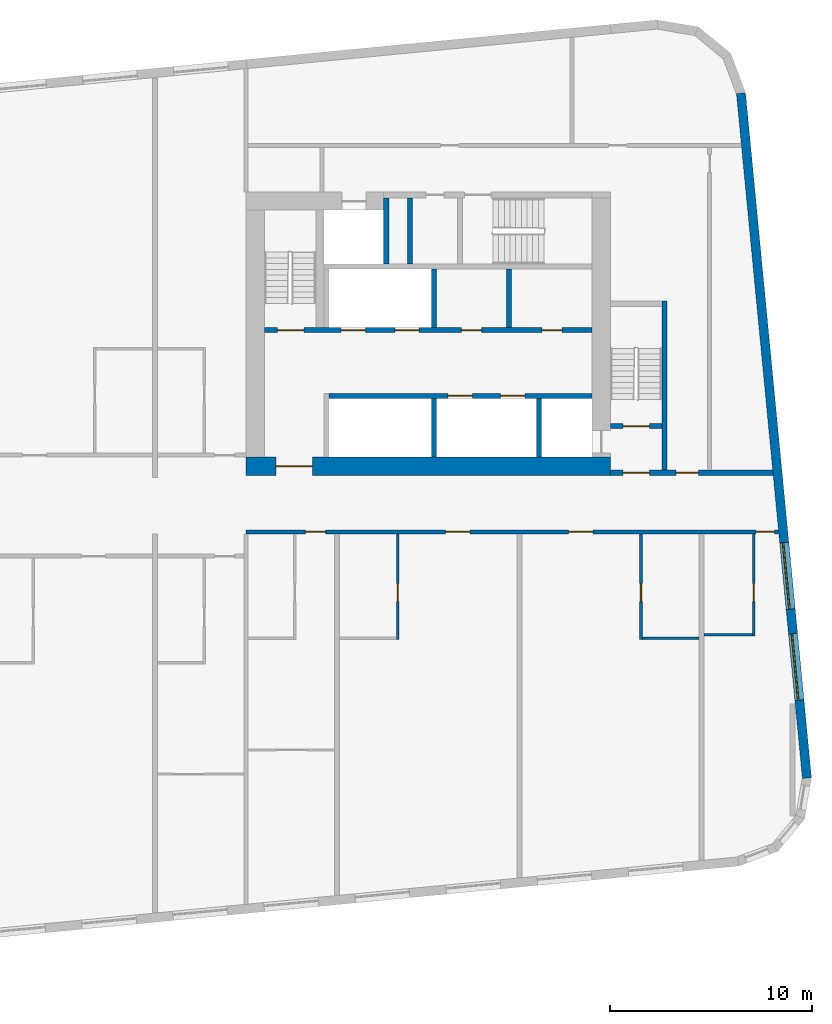
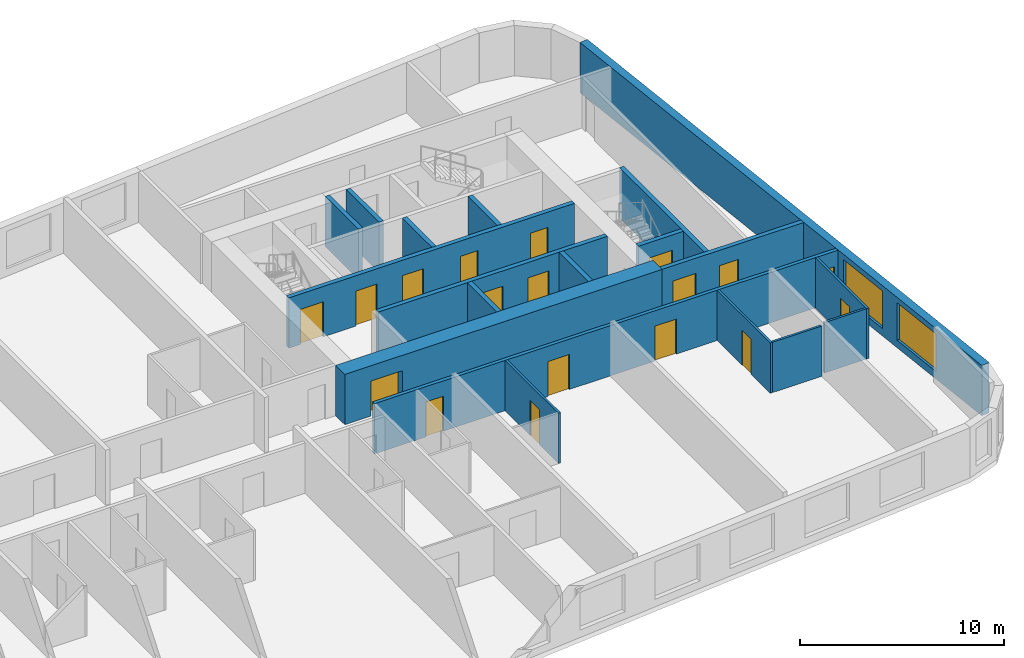
# One storey, part 7 of 12: 19 walls, 18 doors, 2 windows, 20 openings.
"""IFC4 building model written with IfcOpenShell, lengths in metres."""

from ifc_helpers import new_model, si_unit, direction, frame, frame_2d, origin, place, context, subcontext, project, spatial, rectangle, extrude, material, layer, layer_set, type_object, element, fill, save


model = new_model("IFC4")

# Units and contexts
model_context = context("Model", 3, precision=1e-05, world=origin(), true_north=direction((0.0, 1.0)))
body_context = subcontext(model_context, "Body", "Model", "MODEL_VIEW")
ifc_project = project(units=[si_unit("LENGTHUNIT", "METRE"), si_unit("AREAUNIT", "SQUARE_METRE"), si_unit("VOLUMEUNIT", "CUBIC_METRE"), si_unit("PLANEANGLEUNIT", "RADIAN"), si_unit("MASSUNIT", "GRAM", prefix="KILO")], contexts=[model_context])

# Site, building, storey
site_placement = place(None, origin())
site = spatial("IfcSite", under=ifc_project, at=site_placement, CompositionType="ELEMENT")
building_placement = place(site_placement, origin())
building = spatial("IfcBuilding", under=site, at=building_placement, Name="Kajstack Hotel Tower", CompositionType="ELEMENT")
storey_placement = place(building_placement, frame((0.0, 0.0, 180.10009765625)))
storey = spatial("IfcBuildingStorey", under=building, at=storey_placement, Name="L42", CompositionType="ELEMENT", Elevation=180.10009765625)

# Wall, opening, door
ifc_material_1 = material(Name="Concrete C60/75", Category="concrete")
ifc_layer_1 = layer(ifc_material_1, 0.89990234375)
ifc_layer_set_1 = layer_set([ifc_layer_1], Name="Core wall 900")
wall_type_1 = type_object("IfcWallType", Name="Core wall 900", PredefinedType="SHEAR", material=ifc_layer_set_1)
wall_1_placement = place(storey_placement, frame((13.5, 1.949951171875, 0.0), z_axis=(0.0, 0.0, 1.0), x_axis=(1.0, 0.0, 0.0)))
wall_1 = element("IfcWall", 1, at=wall_1_placement, inside=storey, type_object=wall_type_1, Name="Core wall E RN", PredefinedType="SHEAR", context=body_context, shape_type="SweptSolid", body=[
    extrude(rectangle(XDim=18.0, YDim=0.89990234375, at=frame_2d((9.0, 0.0))), origin(), (0.0, 0.0, 1.0), 3.02001953125),
])
opening_1_placement = place(wall_1_placement, frame((1.47509765625, 0.0, 0.0)))
opening_1 = element("IfcOpeningElement", 2, at=opening_1_placement, cuts=wall_1, Name="Opening 42E07", PredefinedType="OPENING", context=body_context, shape_type="SweptSolid", body=[
    extrude(rectangle(XDim=1.800048828125, YDim=2.10009765625, at=frame_2d((0.89990234375, 1.050048828125))), frame((0.0, 0.4599609375, 0.0), z_axis=(0.0, -1.0, 0.0), x_axis=(1.0, 0.0, 0.0)), (0.0, 0.0, 1.0), 0.919921875),
])
ifc_material_2 = material(Name="Glazed steel frame, fire-rated glass", Category="steel")
door_type_1 = type_object("IfcDoorType", Name="Lobby double door 1800", OperationType="DOUBLE_DOOR_DOUBLE_SWING", PredefinedType="DOOR", material=ifc_material_2)
door_1_placement = place(opening_1_placement, origin())
door_1 = element("IfcDoor", 3, at=door_1_placement, inside=storey, type_object=door_type_1, Name="Door 42E07", OperationType="DOUBLE_DOOR_DOUBLE_SWING", OverallHeight=2.10009765625, OverallWidth=1.800048828125, PredefinedType="DOOR", context=body_context, shape_type="SweptSolid", body=[
    extrude(rectangle(XDim=1.800048828125, YDim=2.10009765625, at=frame_2d((0.89990234375, 1.050048828125))), frame((0.0, 0.02490234375, 0.0), z_axis=(0.0, -1.0, 0.0), x_axis=(1.0, 0.0, 0.0)), (0.0, 0.0, 1.0), 0.050048828125),
])
fill(opening_1, door_1)

# Wall, openings, doors
ifc_material_3 = material(Name="Gypsum board on steel studs, mineral wool", Category="steel")
ifc_layer_2 = layer(ifc_material_3, 0.199951171875)
ifc_layer_set_2 = layer_set([ifc_layer_2], Name="Corridor wall 200")
wall_type_2 = type_object("IfcWallType", Name="Corridor wall 200", PredefinedType="PARTITIONING", material=ifc_layer_set_2)
wall_2_placement = place(storey_placement, frame((13.5, -1.300048828125, 0.0), z_axis=(0.0, 0.0, 1.0), x_axis=(1.0, 0.0, 0.0)))
wall_2 = element("IfcWall", 4, at=wall_2_placement, inside=storey, type_object=wall_type_2, Name="G-wall-L42-026", PredefinedType="PARTITIONING", context=body_context, shape_type="SweptSolid", body=[
    extrude(rectangle(XDim=26.31689453125, YDim=0.199951171875, at=frame_2d((13.158447265625, 0.0))), origin(), (0.0, 0.0, 1.0), 3.02001953125),
])
opening_2_placement = place(wall_2_placement, frame((2.925048828125, 0.0, 0.0)))
opening_2 = element("IfcOpeningElement", 5, at=opening_2_placement, cuts=wall_2, Name="Opening 42031", PredefinedType="OPENING", context=body_context, shape_type="SweptSolid", body=[
    extrude(rectangle(XDim=1.0, YDim=2.10009765625, at=frame_2d((0.5, 1.050048828125))), frame((0.0, 0.10986328125, 0.0), z_axis=(0.0, -1.0, 0.0), x_axis=(1.0, 0.0, 0.0)), (0.0, 0.0, 1.0), 0.219970703125),
])
opening_3_placement = place(wall_2_placement, frame((9.862060546875, 0.0, 0.0)))
opening_3 = element("IfcOpeningElement", 6, at=opening_3_placement, cuts=wall_2, Name="Opening 42034", PredefinedType="OPENING", context=body_context, shape_type="SweptSolid", body=[
    extrude(rectangle(XDim=1.199951171875, YDim=2.10009765625, at=frame_2d((0.60009765625, 1.050048828125))), frame((0.0, 0.10986328125, 0.0), z_axis=(0.0, -1.0, 0.0), x_axis=(1.0, 0.0, 0.0)), (0.0, 0.0, 1.0), 0.219970703125),
])
opening_4_placement = place(wall_2_placement, frame((15.93798828125, 0.0, 0.0)))
opening_4 = element("IfcOpeningElement", 7, at=opening_4_placement, cuts=wall_2, Name="Opening 42036", PredefinedType="OPENING", context=body_context, shape_type="SweptSolid", body=[
    extrude(rectangle(XDim=1.199951171875, YDim=2.10009765625, at=frame_2d((0.60009765625, 1.050048828125))), frame((0.0, 0.10986328125, 0.0), z_axis=(0.0, -1.0, 0.0), x_axis=(1.0, 0.0, 0.0)), (0.0, 0.0, 1.0), 0.219970703125),
])
opening_5_placement = place(wall_2_placement, frame((25.2080078125, 0.0, 0.0)))
opening_5 = element("IfcOpeningElement", 8, at=opening_5_placement, cuts=wall_2, Name="Opening 42038", PredefinedType="OPENING", context=body_context, shape_type="SweptSolid", body=[
    extrude(rectangle(XDim=0.89990234375, YDim=2.10009765625, at=frame_2d((0.449951171875, 1.050048828125))), frame((0.0, 0.10986328125, 0.0), z_axis=(0.0, -1.0, 0.0), x_axis=(1.0, 0.0, 0.0)), (0.0, 0.0, 1.0), 0.219970703125),
])
ifc_material_4 = material(Name="Oak veneer on timber core, fire-rated leaf", Category="wood")
door_type_2 = type_object("IfcDoorType", Name="Flat entrance door 1000", OperationType="SINGLE_SWING_LEFT", PredefinedType="DOOR", material=ifc_material_4)
door_2_placement = place(opening_2_placement, origin())
door_2 = element("IfcDoor", 9, at=door_2_placement, inside=storey, type_object=door_type_2, Name="G-door-L42-31", OperationType="SINGLE_SWING_LEFT", OverallHeight=2.10009765625, OverallWidth=1.0, PredefinedType="DOOR", context=body_context, shape_type="SweptSolid", body=[
    extrude(rectangle(XDim=1.0, YDim=2.10009765625, at=frame_2d((0.5, 1.050048828125))), frame((0.0, 0.02490234375, 0.0), z_axis=(0.0, -1.0, 0.0), x_axis=(1.0, 0.0, 0.0)), (0.0, 0.0, 1.0), 0.050048828125),
])
fill(opening_2, door_2)
door_type_3 = type_object("IfcDoorType", Name="Flat entrance door 1200", OperationType="SINGLE_SWING_LEFT", PredefinedType="DOOR", material=ifc_material_4)
door_3_placement = place(opening_3_placement, origin())
door_3 = element("IfcDoor", 10, at=door_3_placement, inside=storey, type_object=door_type_3, Name="G-door-L42-34", OperationType="SINGLE_SWING_LEFT", OverallHeight=2.10009765625, OverallWidth=1.199951171875, PredefinedType="DOOR", context=body_context, shape_type="SweptSolid", body=[
    extrude(rectangle(XDim=1.199951171875, YDim=2.10009765625, at=frame_2d((0.60009765625, 1.050048828125))), frame((0.0, 0.02490234375, 0.0), z_axis=(0.0, -1.0, 0.0), x_axis=(1.0, 0.0, 0.0)), (0.0, 0.0, 1.0), 0.050048828125),
])
fill(opening_3, door_3)
door_4_placement = place(opening_4_placement, origin())
door_4 = element("IfcDoor", 11, at=door_4_placement, inside=storey, type_object=door_type_3, Name="G-door-L42-36", OperationType="SINGLE_SWING_RIGHT", OverallHeight=2.10009765625, OverallWidth=1.199951171875, PredefinedType="DOOR", context=body_context, shape_type="SweptSolid", body=[
    extrude(rectangle(XDim=1.199951171875, YDim=2.10009765625, at=frame_2d((0.60009765625, 1.050048828125))), frame((0.0, 0.02490234375, 0.0), z_axis=(0.0, -1.0, 0.0), x_axis=(1.0, 0.0, 0.0)), (0.0, 0.0, 1.0), 0.050048828125),
])
fill(opening_4, door_4)
ifc_material_5 = material(Name="Painted timber door leaf", Category="wood")
door_type_4 = type_object("IfcDoorType", Name="Room door 900", OperationType="SINGLE_SWING_LEFT", PredefinedType="DOOR", material=ifc_material_5)
door_5_placement = place(opening_5_placement, origin())
door_5 = element("IfcDoor", 12, at=door_5_placement, inside=storey, type_object=door_type_4, Name="G-door-L42-38", OperationType="SINGLE_SWING_RIGHT", OverallHeight=2.10009765625, OverallWidth=0.89990234375, PredefinedType="DOOR", context=body_context, shape_type="SweptSolid", body=[
    extrude(rectangle(XDim=0.89990234375, YDim=2.10009765625, at=frame_2d((0.449951171875, 1.050048828125))), frame((0.0, 0.02490234375, 0.0), z_axis=(0.0, -1.0, 0.0), x_axis=(1.0, 0.0, 0.0)), (0.0, 0.0, 1.0), 0.050048828125),
])
fill(opening_5, door_5)

# Wall, openings, windows
ifc_material_6 = material(Name="Terracotta-faced brick masonry", Category="masonry")
ifc_layer_3 = layer(ifc_material_6, 0.449951171875)
ifc_layer_set_3 = layer_set([ifc_layer_3], Name="EW-TERRA")
wall_type_3 = type_object("IfcWallType", Name="EW-TERRA", PredefinedType="SOLIDWALL", material=ifc_layer_set_3)
wall_3_placement = place(storey_placement, frame((41.21435546875, -13.465576171875, 0.0), z_axis=(0.0, 0.0, 1.0), x_axis=(-0.095847314626, 0.995396047952, 0.0)))
wall_3 = element("IfcWall", 13, at=wall_3_placement, inside=storey, type_object=wall_type_3, Name="E-wall-L42-08-00", PredefinedType="SOLIDWALL", context=body_context, shape_type="SweptSolid", body=[
    extrude(rectangle(XDim=33.999755859375, YDim=0.449951171875, at=frame_2d((17.0, 0.0))), origin(), (0.0, 0.0, 1.0), 3.02001953125),
])
opening_6_placement = place(wall_3_placement, frame((3.869384765625, 0.0, 0.449951171875)))
opening_6 = element("IfcOpeningElement", 14, at=opening_6_placement, cuts=wall_3, Name="Opening W2", PredefinedType="OPENING", context=body_context, shape_type="SweptSolid", body=[
    extrude(rectangle(XDim=3.300048828125, YDim=2.25, at=frame_2d((1.64990234375, 1.125))), frame((0.0, 0.23486328125, 0.0), z_axis=(0.0, -1.0, 0.0), x_axis=(1.0, 0.0, 0.0)), (0.0, 0.0, 1.0), 0.469970703125),
])
opening_7_placement = place(wall_3_placement, frame((8.390380859375, 0.0, 0.449951171875)))
opening_7 = element("IfcOpeningElement", 15, at=opening_7_placement, cuts=wall_3, Name="Opening W2", PredefinedType="OPENING", context=body_context, shape_type="SweptSolid", body=[
    extrude(rectangle(XDim=3.300048828125, YDim=2.25, at=frame_2d((1.64990234375, 1.125))), frame((0.0, 0.23486328125, 0.0), z_axis=(0.0, -1.0, 0.0), x_axis=(1.0, 0.0, 0.0)), (0.0, 0.0, 1.0), 0.469970703125),
])
ifc_material_7 = material(Name="Timber-aluminium window, triple glazed", Category="wood")
window_type = type_object("IfcWindowType", Name="WG2", PartitioningType="SINGLE_PANEL", PredefinedType="WINDOW", material=ifc_material_7)
window_1_placement = place(opening_6_placement, origin())
window_1 = element("IfcWindow", 16, at=window_1_placement, inside=storey, type_object=window_type, Name="Window W2 L42-08", OverallHeight=2.25, OverallWidth=3.300048828125, PartitioningType="SINGLE_PANEL", PredefinedType="WINDOW", context=body_context, shape_type="SweptSolid", body=[
    extrude(rectangle(XDim=3.300048828125, YDim=2.25, at=frame_2d((1.64990234375, 1.125))), frame((0.0, 0.090087890625, 0.0), z_axis=(0.0, -1.0, 0.0), x_axis=(1.0, 0.0, 0.0)), (0.0, 0.0, 1.0), 0.06005859375),
])
fill(opening_6, window_1)
window_2_placement = place(opening_7_placement, origin())
window_2 = element("IfcWindow", 17, at=window_2_placement, inside=storey, type_object=window_type, Name="Window W2 L42-08", OverallHeight=2.25, OverallWidth=3.300048828125, PartitioningType="SINGLE_PANEL", PredefinedType="WINDOW", context=body_context, shape_type="SweptSolid", body=[
    extrude(rectangle(XDim=3.300048828125, YDim=2.25, at=frame_2d((1.64990234375, 1.125))), frame((0.0, 0.090087890625, 0.0), z_axis=(0.0, -1.0, 0.0), x_axis=(1.0, 0.0, 0.0)), (0.0, 0.0, 1.0), 0.06005859375),
])
fill(opening_7, window_2)

# Wall, opening, door
ifc_material_8 = material(Name="Gypsum board and tiled backer on steel studs", Category="steel")
ifc_layer_4 = layer(ifc_material_8, 0.125)
ifc_layer_set_4 = layer_set([ifc_layer_4], Name="En-suite wall 125")
wall_type_4 = type_object("IfcWallType", Name="En-suite wall 125", PredefinedType="PARTITIONING", material=ifc_layer_set_4)
wall_4_placement = place(storey_placement, frame((20.988037109375, -6.625, 0.0), z_axis=(0.0, 0.0, 1.0), x_axis=(0.0, 1.0, 0.0)))
wall_4 = element("IfcWall", 18, at=wall_4_placement, inside=storey, type_object=wall_type_4, Name="G-wall-L42-044", PredefinedType="PARTITIONING", context=body_context, shape_type="SweptSolid", body=[
    extrude(rectangle(XDim=5.22509765625, YDim=0.125, at=frame_2d((2.612548828125, 0.0))), origin(), (0.0, 0.0, 1.0), 3.02001953125),
])
opening_8_placement = place(wall_4_placement, frame((1.875, 0.0, 0.0)))
opening_8 = element("IfcOpeningElement", 19, at=opening_8_placement, cuts=wall_4, Name="Opening 42035", PredefinedType="OPENING", context=body_context, shape_type="SweptSolid", body=[
    extrude(rectangle(XDim=0.89990234375, YDim=2.10009765625, at=frame_2d((0.449951171875, 1.050048828125))), frame((0.0, 0.072509765625, 0.0), z_axis=(0.0, -1.0, 0.0), x_axis=(1.0, 0.0, 0.0)), (0.0, 0.0, 1.0), 0.14501953125),
])
door_6_placement = place(opening_8_placement, origin())
door_6 = element("IfcDoor", 20, at=door_6_placement, inside=storey, type_object=door_type_4, Name="G-door-L42-35", OperationType="SINGLE_SWING_RIGHT", OverallHeight=2.10009765625, OverallWidth=0.89990234375, PredefinedType="DOOR", context=body_context, shape_type="SweptSolid", body=[
    extrude(rectangle(XDim=0.89990234375, YDim=2.10009765625, at=frame_2d((0.449951171875, 1.050048828125))), frame((0.0, 0.02490234375, 0.0), z_axis=(0.0, -1.0, 0.0), x_axis=(1.0, 0.0, 0.0)), (0.0, 0.0, 1.0), 0.050048828125),
])
fill(opening_8, door_6)

wall_5_placement = place(storey_placement, frame((33.012939453125, -6.625, 0.0), z_axis=(0.0, 0.0, 1.0), x_axis=(0.0, 1.0, 0.0)))
wall_5 = element("IfcWall", 21, at=wall_5_placement, inside=storey, type_object=wall_type_4, Name="G-wall-L42-046", PredefinedType="PARTITIONING", context=body_context, shape_type="SweptSolid", body=[
    extrude(rectangle(XDim=5.22509765625, YDim=0.125, at=frame_2d((2.612548828125, 0.0))), origin(), (0.0, 0.0, 1.0), 3.02001953125),
])
opening_9_placement = place(wall_5_placement, frame((1.875, 0.0, 0.0)))
opening_9 = element("IfcOpeningElement", 22, at=opening_9_placement, cuts=wall_5, Name="Opening 42037", PredefinedType="OPENING", context=body_context, shape_type="SweptSolid", body=[
    extrude(rectangle(XDim=0.89990234375, YDim=2.10009765625, at=frame_2d((0.449951171875, 1.050048828125))), frame((0.0, 0.072509765625, 0.0), z_axis=(0.0, -1.0, 0.0), x_axis=(1.0, 0.0, 0.0)), (0.0, 0.0, 1.0), 0.14501953125),
])
door_7_placement = place(opening_9_placement, origin())
door_7 = element("IfcDoor", 23, at=door_7_placement, inside=storey, type_object=door_type_4, Name="G-door-L42-37", OperationType="SINGLE_SWING_LEFT", OverallHeight=2.10009765625, OverallWidth=0.89990234375, PredefinedType="DOOR", context=body_context, shape_type="SweptSolid", body=[
    extrude(rectangle(XDim=0.89990234375, YDim=2.10009765625, at=frame_2d((0.449951171875, 1.050048828125))), frame((0.0, 0.02490234375, 0.0), z_axis=(0.0, -1.0, 0.0), x_axis=(1.0, 0.0, 0.0)), (0.0, 0.0, 1.0), 0.050048828125),
])
fill(opening_9, door_7)

# Wall
wall_6_placement = place(storey_placement, frame((33.074951171875, -6.56201171875, 0.0), z_axis=(0.0, 0.0, 1.0), x_axis=(1.0, 0.0, 0.0)))
element("IfcWall", 24, at=wall_6_placement, inside=storey, type_object=wall_type_4, Name="G-wall-L42-047", PredefinedType="PARTITIONING", context=body_context, shape_type="SweptSolid", body=[
    extrude(rectangle(XDim=2.800048828125, YDim=0.125, at=frame_2d((1.39990234375, 0.0))), origin(), (0.0, 0.0, 1.0), 3.02001953125),
])

# Wall, opening, door
wall_7_placement = place(storey_placement, frame((38.5869140625, -6.445068359375, 0.0), z_axis=(0.0, 0.0, 1.0), x_axis=(0.0, 1.0, 0.0)))
wall_7 = element("IfcWall", 25, at=wall_7_placement, inside=storey, type_object=wall_type_4, Name="G-wall-L42-048", PredefinedType="PARTITIONING", context=body_context, shape_type="SweptSolid", body=[
    extrude(rectangle(XDim=5.045166015625, YDim=0.125, at=frame_2d((2.5224609375, 0.0))), origin(), (0.0, 0.0, 1.0), 3.02001953125),
])
opening_10_placement = place(wall_7_placement, frame((1.695068359375, 0.0, 0.0)))
opening_10 = element("IfcOpeningElement", 26, at=opening_10_placement, cuts=wall_7, Name="Opening 42039", PredefinedType="OPENING", context=body_context, shape_type="SweptSolid", body=[
    extrude(rectangle(XDim=0.89990234375, YDim=2.10009765625, at=frame_2d((0.449951171875, 1.050048828125))), frame((0.0, 0.072509765625, 0.0), z_axis=(0.0, -1.0, 0.0), x_axis=(1.0, 0.0, 0.0)), (0.0, 0.0, 1.0), 0.14501953125),
])
door_8_placement = place(opening_10_placement, origin())
door_8 = element("IfcDoor", 27, at=door_8_placement, inside=storey, type_object=door_type_4, Name="G-door-L42-39", OperationType="SINGLE_SWING_LEFT", OverallHeight=2.10009765625, OverallWidth=0.89990234375, PredefinedType="DOOR", context=body_context, shape_type="SweptSolid", body=[
    extrude(rectangle(XDim=0.89990234375, YDim=2.10009765625, at=frame_2d((0.449951171875, 1.050048828125))), frame((0.0, 0.02490234375, 0.0), z_axis=(0.0, -1.0, 0.0), x_axis=(1.0, 0.0, 0.0)), (0.0, 0.0, 1.0), 0.050048828125),
])
fill(opening_10, door_8)

# Walls
wall_8_placement = place(storey_placement, frame((36.125, -6.382080078125, 0.0), z_axis=(0.0, 0.0, 1.0), x_axis=(1.0, 0.0, 0.0)))
element("IfcWall", 28, at=wall_8_placement, inside=storey, type_object=wall_type_4, Name="G-wall-L42-049", PredefinedType="PARTITIONING", context=body_context, shape_type="SweptSolid", body=[
    extrude(rectangle(XDim=2.39990234375, YDim=0.125, at=frame_2d((1.199951171875, 0.0))), origin(), (0.0, 0.0, 1.0), 3.02001953125),
])
ifc_material_9 = material(Name="Concrete C50/60", Category="concrete")
ifc_layer_5 = layer(ifc_material_9, 0.300048828125)
ifc_layer_set_5 = layer_set([ifc_layer_5], Name="Hoistway divider wall 300")
wall_type_5 = type_object("IfcWallType", Name="Hoistway divider wall 300", PredefinedType="SHEAR", material=ifc_layer_set_5)
wall_9_placement = place(storey_placement, frame((22.77490234375, 2.39990234375, 0.0), z_axis=(0.0, 0.0, 1.0), x_axis=(0.0, 1.0, 0.0)))
element("IfcWall", 29, at=wall_9_placement, inside=storey, type_object=wall_type_5, Name="Core wall E AP2", PredefinedType="SHEAR", context=body_context, shape_type="SweptSolid", body=[
    extrude(rectangle(XDim=2.900146484375, YDim=0.25, at=frame_2d((1.4501953125, 0.0))), origin(), (0.0, 0.0, 1.0), 3.02001953125),
])
wall_10_placement = place(storey_placement, frame((22.77490234375, 8.800048828125, 0.0), z_axis=(0.0, 0.0, 1.0), x_axis=(0.0, 1.0, 0.0)))
element("IfcWall", 30, at=wall_10_placement, inside=storey, type_object=wall_type_5, Name="Core wall E BP2", PredefinedType="SHEAR", context=body_context, shape_type="SweptSolid", body=[
    extrude(rectangle(XDim=2.89990234375, YDim=0.25, at=frame_2d((1.449951171875, 0.0))), origin(), (0.0, 0.0, 1.0), 3.02001953125),
])
ifc_material_10 = material(Name="Concrete block masonry", Category="masonry")
ifc_layer_6 = layer(ifc_material_10, 0.25)
ifc_layer_set_6 = layer_set([ifc_layer_6], Name="Riser partition 250")
wall_type_6 = type_object("IfcWallType", Name="Riser partition 250", PredefinedType="PARTITIONING", material=ifc_layer_set_6)
wall_11_placement = place(storey_placement, frame((26.5, 8.800048828125, 0.0), z_axis=(0.0, 0.0, 1.0), x_axis=(0.0, 1.0, 0.0)))
element("IfcWall", 31, at=wall_11_placement, inside=storey, type_object=wall_type_6, Name="Partition E BF0", PredefinedType="PARTITIONING", context=body_context, shape_type="SweptSolid", body=[
    extrude(rectangle(XDim=2.89990234375, YDim=0.25, at=frame_2d((1.449951171875, 0.0))), origin(), (0.0, 0.0, 1.0), 3.02001953125),
])
wall_12_placement = place(storey_placement, frame((21.60009765625, 11.949951171875, 0.0), z_axis=(0.0, 0.0, 1.0), x_axis=(0.0, 1.0, 0.0)))
element("IfcWall", 32, at=wall_12_placement, inside=storey, type_object=wall_type_6, Name="Partition E SZ0", PredefinedType="PARTITIONING", context=body_context, shape_type="SweptSolid", body=[
    extrude(rectangle(XDim=3.25, YDim=0.25, at=frame_2d((1.625, 0.0))), origin(), (0.0, 0.0, 1.0), 3.02001953125),
])

# Wall, openings, doors
ifc_layer_7 = layer(ifc_material_3, 0.199951171875)
ifc_layer_set_7 = layer_set([ifc_layer_7], Name="Service partition 200")
wall_type_7 = type_object("IfcWallType", Name="Service partition 200", PredefinedType="PARTITIONING", material=ifc_layer_set_7)
wall_13_placement = place(storey_placement, frame((31.5, 1.625, 0.0), z_axis=(0.0, 0.0, 1.0), x_axis=(1.0, 0.0, 0.0)))
wall_13 = element("IfcWall", 33, at=wall_13_placement, inside=storey, type_object=wall_type_7, Name="Partition E SN", PredefinedType="PARTITIONING", context=body_context, shape_type="SweptSolid", body=[
    extrude(rectangle(XDim=8.035400390625, YDim=0.25, at=frame_2d((4.017578125, 0.0))), origin(), (0.0, 0.0, 1.0), 3.02001953125),
])
opening_11_placement = place(wall_13_placement, frame((0.625, 0.0, 0.0)))
opening_11 = element("IfcOpeningElement", 34, at=opening_11_placement, cuts=wall_13, Name="Opening 42E08", PredefinedType="OPENING", context=body_context, shape_type="SweptSolid", body=[
    extrude(rectangle(XDim=1.300048828125, YDim=2.10009765625, at=frame_2d((0.64990234375, 1.050048828125))), frame((0.0, 0.135009765625, 0.0), z_axis=(0.0, -1.0, 0.0), x_axis=(1.0, 0.0, 0.0)), (0.0, 0.0, 1.0), 0.27001953125),
])
opening_12_placement = place(wall_13_placement, frame((3.25, 0.0, 0.0)))
opening_12 = element("IfcOpeningElement", 35, at=opening_12_placement, cuts=wall_13, Name="Opening 42E10", PredefinedType="OPENING", context=body_context, shape_type="SweptSolid", body=[
    extrude(rectangle(XDim=1.10009765625, YDim=2.10009765625, at=frame_2d((0.550048828125, 1.050048828125))), frame((0.0, 0.135009765625, 0.0), z_axis=(0.0, -1.0, 0.0), x_axis=(1.0, 0.0, 0.0)), (0.0, 0.0, 1.0), 0.27001953125),
])
ifc_material_11 = material(Name="Steel leaf, fire-rated", Category="steel")
door_type_5 = type_object("IfcDoorType", Name="Fire lobby door 1300", OperationType="SINGLE_SWING_LEFT", PredefinedType="DOOR", material=ifc_material_11)
door_9_placement = place(opening_11_placement, origin())
door_9 = element("IfcDoor", 36, at=door_9_placement, inside=storey, type_object=door_type_5, Name="Door 42E08", OperationType="SINGLE_SWING_LEFT", OverallHeight=2.10009765625, OverallWidth=1.300048828125, PredefinedType="DOOR", context=body_context, shape_type="SweptSolid", body=[
    extrude(rectangle(XDim=1.300048828125, YDim=2.10009765625, at=frame_2d((0.64990234375, 1.050048828125))), frame((0.0, 0.02490234375, 0.0), z_axis=(0.0, -1.0, 0.0), x_axis=(1.0, 0.0, 0.0)), (0.0, 0.0, 1.0), 0.050048828125),
])
fill(opening_11, door_9)
ifc_material_12 = material(Name="Timber leaf, fire-rated", Category="wood")
door_type_6 = type_object("IfcDoorType", Name="Service corridor door 1100", OperationType="SINGLE_SWING_LEFT", PredefinedType="DOOR", material=ifc_material_12)
door_10_placement = place(opening_12_placement, origin())
door_10 = element("IfcDoor", 37, at=door_10_placement, inside=storey, type_object=door_type_6, Name="Door 42E10", OperationType="SINGLE_SWING_LEFT", OverallHeight=2.10009765625, OverallWidth=1.10009765625, PredefinedType="DOOR", context=body_context, shape_type="SweptSolid", body=[
    extrude(rectangle(XDim=1.10009765625, YDim=2.10009765625, at=frame_2d((0.550048828125, 1.050048828125))), frame((0.0, 0.02490234375, 0.0), z_axis=(0.0, -1.0, 0.0), x_axis=(1.0, 0.0, 0.0)), (0.0, 0.0, 1.0), 0.050048828125),
])
fill(opening_12, door_10)

ifc_layer_8 = layer(ifc_material_9, 0.25)
ifc_layer_set_8 = layer_set([ifc_layer_8], Name="Shaft wall 250")
wall_type_8 = type_object("IfcWallType", Name="Shaft wall 250", PredefinedType="SHEAR", material=ifc_layer_set_8)
wall_14_placement = place(storey_placement, frame((17.60009765625, 5.425048828125, 0.0), z_axis=(0.0, 0.0, 1.0), x_axis=(1.0, 0.0, 0.0)))
wall_14 = element("IfcWall", 38, at=wall_14_placement, inside=storey, type_object=wall_type_8, Name="Core wall E FA", PredefinedType="SHEAR", context=body_context, shape_type="SweptSolid", body=[
    extrude(rectangle(XDim=13.0, YDim=0.25, at=frame_2d((6.5, 0.0))), origin(), (0.0, 0.0, 1.0), 3.02001953125),
])
opening_13_placement = place(wall_14_placement, frame((8.47509765625, 0.0, 0.0)))
opening_13 = element("IfcOpeningElement", 39, at=opening_13_placement, cuts=wall_14, Name="Opening LD-MR7", PredefinedType="OPENING", context=body_context, shape_type="SweptSolid", body=[
    extrude(rectangle(XDim=1.199951171875, YDim=2.10009765625, at=frame_2d((0.60009765625, 1.050048828125))), frame((0.0, 0.135009765625, 0.0), z_axis=(0.0, -1.0, 0.0), x_axis=(1.0, 0.0, 0.0)), (0.0, 0.0, 1.0), 0.27001953125),
])
opening_14_placement = place(wall_14_placement, frame((5.875, 0.0, 0.0)))
opening_14 = element("IfcOpeningElement", 40, at=opening_14_placement, cuts=wall_14, Name="Opening LD-MR8", PredefinedType="OPENING", context=body_context, shape_type="SweptSolid", body=[
    extrude(rectangle(XDim=1.199951171875, YDim=2.10009765625, at=frame_2d((0.60009765625, 1.050048828125))), frame((0.0, 0.135009765625, 0.0), z_axis=(0.0, -1.0, 0.0), x_axis=(1.0, 0.0, 0.0)), (0.0, 0.0, 1.0), 0.27001953125),
])
ifc_material_13 = material(Name="Stainless steel", Category="steel")
door_type_7 = type_object("IfcDoorType", Name="Lift landing door 1200", OperationType="SLIDING_TO_LEFT", PredefinedType="DOOR", material=ifc_material_13)
door_11_placement = place(opening_13_placement, origin())
door_11 = element("IfcDoor", 41, at=door_11_placement, inside=storey, type_object=door_type_7, Name="Landing door MR7", OperationType="SLIDING_TO_LEFT", OverallHeight=2.10009765625, OverallWidth=1.199951171875, PredefinedType="DOOR", context=body_context, shape_type="SweptSolid", body=[
    extrude(rectangle(XDim=1.199951171875, YDim=2.10009765625, at=frame_2d((0.60009765625, 1.050048828125))), frame((0.0, 0.02490234375, 0.0), z_axis=(0.0, -1.0, 0.0), x_axis=(1.0, 0.0, 0.0)), (0.0, 0.0, 1.0), 0.050048828125),
])
fill(opening_13, door_11)
door_12_placement = place(opening_14_placement, origin())
door_12 = element("IfcDoor", 42, at=door_12_placement, inside=storey, type_object=door_type_7, Name="Landing door MR8", OperationType="SLIDING_TO_RIGHT", OverallHeight=2.10009765625, OverallWidth=1.199951171875, PredefinedType="DOOR", context=body_context, shape_type="SweptSolid", body=[
    extrude(rectangle(XDim=1.199951171875, YDim=2.10009765625, at=frame_2d((0.60009765625, 1.050048828125))), frame((0.0, 0.02490234375, 0.0), z_axis=(0.0, -1.0, 0.0), x_axis=(1.0, 0.0, 0.0)), (0.0, 0.0, 1.0), 0.050048828125),
])
fill(opening_14, door_12)

# Wall
wall_15_placement = place(storey_placement, frame((27.97509765625, 2.39990234375, 0.0), z_axis=(0.0, 0.0, 1.0), x_axis=(0.0, 1.0, 0.0)))
element("IfcWall", 43, at=wall_15_placement, inside=storey, type_object=wall_type_8, Name="Core wall E AP0", PredefinedType="SHEAR", context=body_context, shape_type="SweptSolid", body=[
    extrude(rectangle(XDim=2.900146484375, YDim=0.25, at=frame_2d((1.4501953125, 0.0))), origin(), (0.0, 0.0, 1.0), 3.02001953125),
])

# Wall, openings, doors
wall_16_placement = place(storey_placement, frame((14.39990234375, 8.675048828125, 0.0), z_axis=(0.0, 0.0, 1.0), x_axis=(1.0, 0.0, 0.0)))
wall_16 = element("IfcWall", 44, at=wall_16_placement, inside=storey, type_object=wall_type_8, Name="Core wall E FB", PredefinedType="SHEAR", context=body_context, shape_type="SweptSolid", body=[
    extrude(rectangle(XDim=16.2001953125, YDim=0.25, at=frame_2d((8.10009765625, 0.0))), origin(), (0.0, 0.0, 1.0), 3.02001953125),
])
opening_15_placement = place(wall_16_placement, frame((6.449951171875, 0.0, 0.0)))
opening_15 = element("IfcOpeningElement", 45, at=opening_15_placement, cuts=wall_16, Name="Opening LD-MR5", PredefinedType="OPENING", context=body_context, shape_type="SweptSolid", body=[
    extrude(rectangle(XDim=1.199951171875, YDim=2.10009765625, at=frame_2d((0.60009765625, 1.050048828125))), frame((0.0, 0.135009765625, 0.0), z_axis=(0.0, -1.0, 0.0), x_axis=(1.0, 0.0, 0.0)), (0.0, 0.0, 1.0), 0.27001953125),
])
opening_16_placement = place(wall_16_placement, frame((3.800048828125, 0.0, 0.0)))
opening_16 = element("IfcOpeningElement", 46, at=opening_16_placement, cuts=wall_16, Name="Opening LD-MR6", PredefinedType="OPENING", context=body_context, shape_type="SweptSolid", body=[
    extrude(rectangle(XDim=1.199951171875, YDim=2.10009765625, at=frame_2d((0.60009765625, 1.050048828125))), frame((0.0, 0.135009765625, 0.0), z_axis=(0.0, -1.0, 0.0), x_axis=(1.0, 0.0, 0.0)), (0.0, 0.0, 1.0), 0.27001953125),
])
opening_17_placement = place(wall_16_placement, frame((0.64990234375, 0.0, 0.0)))
opening_17 = element("IfcOpeningElement", 47, at=opening_17_placement, cuts=wall_16, Name="Opening 42E11", PredefinedType="OPENING", context=body_context, shape_type="SweptSolid", body=[
    extrude(rectangle(XDim=1.300048828125, YDim=2.10009765625, at=frame_2d((0.64990234375, 1.050048828125))), frame((0.0, 0.135009765625, 0.0), z_axis=(0.0, -1.0, 0.0), x_axis=(1.0, 0.0, 0.0)), (0.0, 0.0, 1.0), 0.27001953125),
])
opening_18_placement = place(wall_16_placement, frame((13.71240234375, 0.0, 0.0)))
opening_18 = element("IfcOpeningElement", 48, at=opening_18_placement, cuts=wall_16, Name="Opening 42E14", PredefinedType="OPENING", context=body_context, shape_type="SweptSolid", body=[
    extrude(rectangle(XDim=1.0, YDim=2.10009765625, at=frame_2d((0.5, 1.050048828125))), frame((0.0, 0.135009765625, 0.0), z_axis=(0.0, -1.0, 0.0), x_axis=(1.0, 0.0, 0.0)), (0.0, 0.0, 1.0), 0.27001953125),
])
opening_19_placement = place(wall_16_placement, frame((9.737548828125, 0.0, 0.0)))
opening_19 = element("IfcOpeningElement", 49, at=opening_19_placement, cuts=wall_16, Name="Opening 42E15", PredefinedType="OPENING", context=body_context, shape_type="SweptSolid", body=[
    extrude(rectangle(XDim=1.0, YDim=2.10009765625, at=frame_2d((0.5, 1.050048828125))), frame((0.0, 0.135009765625, 0.0), z_axis=(0.0, -1.0, 0.0), x_axis=(1.0, 0.0, 0.0)), (0.0, 0.0, 1.0), 0.27001953125),
])
door_13_placement = place(opening_15_placement, origin())
door_13 = element("IfcDoor", 50, at=door_13_placement, inside=storey, type_object=door_type_7, Name="Landing door MR5", OperationType="SLIDING_TO_LEFT", OverallHeight=2.10009765625, OverallWidth=1.199951171875, PredefinedType="DOOR", context=body_context, shape_type="SweptSolid", body=[
    extrude(rectangle(XDim=1.199951171875, YDim=2.10009765625, at=frame_2d((0.60009765625, 1.050048828125))), frame((0.0, 0.02490234375, 0.0), z_axis=(0.0, -1.0, 0.0), x_axis=(1.0, 0.0, 0.0)), (0.0, 0.0, 1.0), 0.050048828125),
])
fill(opening_15, door_13)
door_14_placement = place(opening_16_placement, origin())
door_14 = element("IfcDoor", 51, at=door_14_placement, inside=storey, type_object=door_type_7, Name="Landing door MR6", OperationType="SLIDING_TO_RIGHT", OverallHeight=2.10009765625, OverallWidth=1.199951171875, PredefinedType="DOOR", context=body_context, shape_type="SweptSolid", body=[
    extrude(rectangle(XDim=1.199951171875, YDim=2.10009765625, at=frame_2d((0.60009765625, 1.050048828125))), frame((0.0, 0.02490234375, 0.0), z_axis=(0.0, -1.0, 0.0), x_axis=(1.0, 0.0, 0.0)), (0.0, 0.0, 1.0), 0.050048828125),
])
fill(opening_16, door_14)
door_type_8 = type_object("IfcDoorType", Name="Service room door 1000", OperationType="SINGLE_SWING_LEFT", PredefinedType="DOOR", material=ifc_material_12)
door_15_placement = place(opening_18_placement, origin())
door_15 = element("IfcDoor", 52, at=door_15_placement, inside=storey, type_object=door_type_8, Name="Door 42E14", OperationType="SINGLE_SWING_LEFT", OverallHeight=2.10009765625, OverallWidth=1.0, PredefinedType="DOOR", context=body_context, shape_type="SweptSolid", body=[
    extrude(rectangle(XDim=1.0, YDim=2.10009765625, at=frame_2d((0.5, 1.050048828125))), frame((0.0, 0.02490234375, 0.0), z_axis=(0.0, -1.0, 0.0), x_axis=(1.0, 0.0, 0.0)), (0.0, 0.0, 1.0), 0.050048828125),
])
fill(opening_18, door_15)
door_16_placement = place(opening_19_placement, origin())
door_16 = element("IfcDoor", 53, at=door_16_placement, inside=storey, type_object=door_type_8, Name="Door 42E15", OperationType="SINGLE_SWING_LEFT", OverallHeight=2.10009765625, OverallWidth=1.0, PredefinedType="DOOR", context=body_context, shape_type="SweptSolid", body=[
    extrude(rectangle(XDim=1.0, YDim=2.10009765625, at=frame_2d((0.5, 1.050048828125))), frame((0.0, 0.02490234375, 0.0), z_axis=(0.0, -1.0, 0.0), x_axis=(1.0, 0.0, 0.0)), (0.0, 0.0, 1.0), 0.050048828125),
])
fill(opening_19, door_16)
door_type_9 = type_object("IfcDoorType", Name="Stair door 1300", OperationType="SINGLE_SWING_LEFT", PredefinedType="DOOR", material=ifc_material_11)
door_17_placement = place(opening_17_placement, origin())
door_17 = element("IfcDoor", 54, at=door_17_placement, inside=storey, type_object=door_type_9, Name="Door 42E11", OperationType="SINGLE_SWING_LEFT", OverallHeight=2.10009765625, OverallWidth=1.300048828125, PredefinedType="DOOR", context=body_context, shape_type="SweptSolid", body=[
    extrude(rectangle(XDim=1.300048828125, YDim=2.10009765625, at=frame_2d((0.64990234375, 1.050048828125))), frame((0.0, 0.02490234375, 0.0), z_axis=(0.0, -1.0, 0.0), x_axis=(1.0, 0.0, 0.0)), (0.0, 0.0, 1.0), 0.050048828125),
])
fill(opening_17, door_17)

# Wall
wall_17_placement = place(storey_placement, frame((20.425048828125, 11.949951171875, 0.0), z_axis=(0.0, 0.0, 1.0), x_axis=(0.0, 1.0, 0.0)))
element("IfcWall", 55, at=wall_17_placement, inside=storey, type_object=wall_type_8, Name="Core wall E SVW", PredefinedType="SHEAR", context=body_context, shape_type="SweptSolid", body=[
    extrude(rectangle(XDim=3.25, YDim=0.25, at=frame_2d((1.625, 0.0))), origin(), (0.0, 0.0, 1.0), 3.02001953125),
])

# Wall, opening, door
ifc_material_14 = material(Name="Concrete C40/50", Category="concrete")
ifc_layer_9 = layer(ifc_material_14, 0.25)
ifc_layer_set_9 = layer_set([ifc_layer_9], Name="Stair enclosure wall 250")
wall_type_9 = type_object("IfcWallType", Name="Stair enclosure wall 250", PredefinedType="SHEAR", material=ifc_layer_set_9)
wall_18_placement = place(storey_placement, frame((31.5, 3.925048828125, 0.0), z_axis=(0.0, 0.0, 1.0), x_axis=(1.0, 0.0, 0.0)))
wall_18 = element("IfcWall", 56, at=wall_18_placement, inside=storey, type_object=wall_type_9, Name="Core wall E W1N", PredefinedType="SHEAR", context=body_context, shape_type="SweptSolid", body=[
    extrude(rectangle(XDim=2.550048828125, YDim=0.25, at=frame_2d((1.27490234375, 0.0))), origin(), (0.0, 0.0, 1.0), 3.02001953125),
])
opening_20_placement = place(wall_18_placement, frame((0.625, 0.0, 0.0)))
opening_20 = element("IfcOpeningElement", 57, at=opening_20_placement, cuts=wall_18, Name="Opening 42E09", PredefinedType="OPENING", context=body_context, shape_type="SweptSolid", body=[
    extrude(rectangle(XDim=1.300048828125, YDim=2.10009765625, at=frame_2d((0.64990234375, 1.050048828125))), frame((0.0, 0.135009765625, 0.0), z_axis=(0.0, -1.0, 0.0), x_axis=(1.0, 0.0, 0.0)), (0.0, 0.0, 1.0), 0.27001953125),
])
door_18_placement = place(opening_20_placement, origin())
door_18 = element("IfcDoor", 58, at=door_18_placement, inside=storey, type_object=door_type_9, Name="Door 42E09", OperationType="SINGLE_SWING_LEFT", OverallHeight=2.10009765625, OverallWidth=1.300048828125, PredefinedType="DOOR", context=body_context, shape_type="SweptSolid", body=[
    extrude(rectangle(XDim=1.300048828125, YDim=2.10009765625, at=frame_2d((0.64990234375, 1.050048828125))), frame((0.0, 0.02490234375, 0.0), z_axis=(0.0, -1.0, 0.0), x_axis=(1.0, 0.0, 0.0)), (0.0, 0.0, 1.0), 0.050048828125),
])
fill(opening_20, door_18)

# Wall
wall_19_placement = place(storey_placement, frame((34.175048828125, 1.75, 0.0), z_axis=(0.0, 0.0, 1.0), x_axis=(0.0, 1.0, 0.0)))
element("IfcWall", 59, at=wall_19_placement, inside=storey, type_object=wall_type_9, Name="Core wall E W1W", PredefinedType="SHEAR", context=body_context, shape_type="SweptSolid", body=[
    extrude(rectangle(XDim=8.35009765625, YDim=0.25, at=frame_2d((4.175048828125, 0.0))), origin(), (0.0, 0.0, 1.0), 3.02001953125),
])

save(model, "model.ifc")
